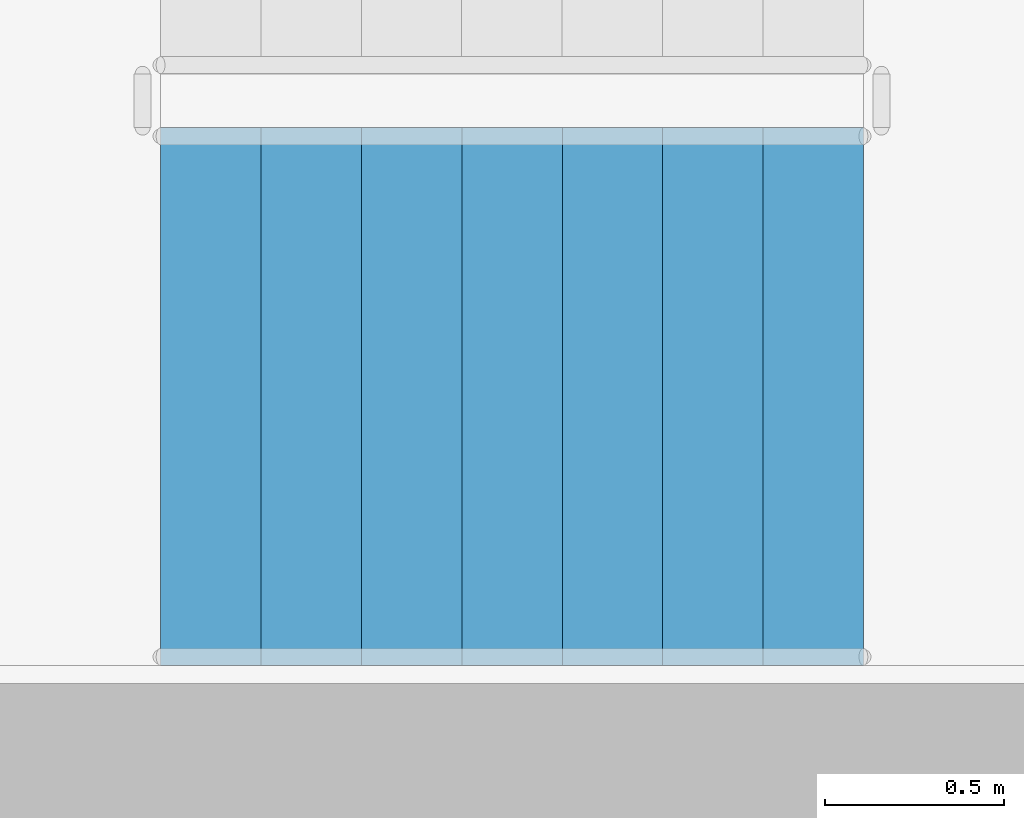
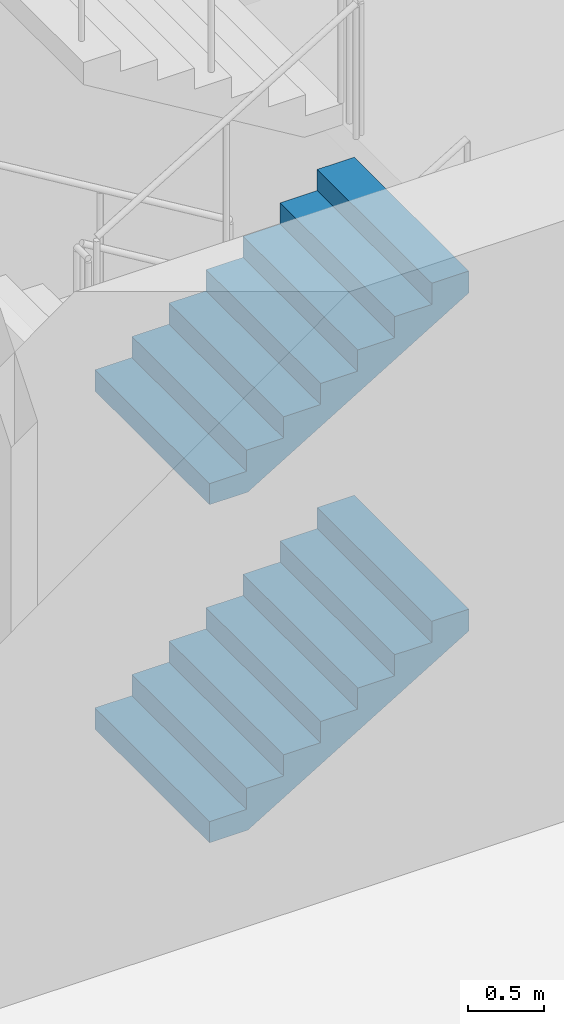
# One storey, part 61 of 101: 2 stair flights, 1 element without a shape of its own.
"""IFC4 building model written with IfcOpenShell, lengths in metres."""

from ifc_helpers import new_model, si_unit, direction, frame, origin, place, context, subcontext, project, spatial, triangles, material, type_object, element, aggregate, save


model = new_model("IFC4")

# Units and contexts
model_context = context("Model", 3, precision=1e-05, world=origin(), true_north=direction((0.0, 1.0)))
body_context = subcontext(model_context, "Body", "Model", "MODEL_VIEW")
ifc_project = project(units=[si_unit("LENGTHUNIT", "METRE"), si_unit("AREAUNIT", "SQUARE_METRE"), si_unit("VOLUMEUNIT", "CUBIC_METRE"), si_unit("PLANEANGLEUNIT", "RADIAN"), si_unit("MASSUNIT", "GRAM", prefix="KILO")], contexts=[model_context])

# Site, building, storey
site_placement = place(None, origin())
site = spatial("IfcSite", under=ifc_project, at=site_placement, CompositionType="ELEMENT")
building_placement = place(site_placement, origin())
building = spatial("IfcBuilding", under=site, at=building_placement, Name="Magnolia Steps Interchange", CompositionType="ELEMENT")
storey_placement = place(building_placement, frame((0.0, 0.0, -5.39990234375)))
storey = spatial("IfcBuildingStorey", under=building, at=storey_placement, Name="B1", CompositionType="ELEMENT", Elevation=-5.39990234375)

# Stair, stair flights
ifc_material_1 = material(Name="Concrete C40", Category="concrete")
stair_type = type_object("IfcStairType", Name="Exit stair 1500", PredefinedType="HALF_TURN_STAIR", material=ifc_material_1)
stair_placement = place(storey_placement, origin())
stair = element("IfcStair", 1, at=stair_placement, inside=storey, type_object=stair_type, Name="B1 Stair 4", PredefinedType="HALF_TURN_STAIR")
ifc_material_2 = material(Name="Concrete C40", Category="concrete")
stair_flight_type = type_object("IfcStairFlightType", Name="Exit stair flight", PredefinedType="STRAIGHT", material=ifc_material_2)
stair_flight_1_placement = place(storey_placement, frame((112.199951171875, 76.050048828125, 0.0), z_axis=(0.0, 0.0, 1.0), x_axis=(1.0, 0.0, 0.0)))
stair_flight_1 = element("IfcStairFlight", 2, at=stair_flight_1_placement, type_object=stair_flight_type, Name="Stair 4 flight 1", NumberOfRisers=8, NumberOfTreads=7, PredefinedType="STRAIGHT", RiserHeight=0.16875, TreadLength=0.28, context=body_context, shape_type="Tessellation", body=[
    triangles([(0.0, -0.75, 0.0), (0.29052734375, -0.75, 0.0), (1.9599609375, -0.75, 1.00634765625), (1.9599609375, -0.75, 1.18115234375), (1.679931640625, -0.75, 1.18115234375), (1.679931640625, -0.75, 1.012451171875), (1.39990234375, -0.75, 1.012451171875), (1.39990234375, -0.75, 0.84375), (1.1201171875, -0.75, 0.84375), (1.1201171875, -0.75, 0.675048828125), (0.840087890625, -0.75, 0.675048828125), (0.840087890625, -0.75, 0.50634765625), (0.56005859375, -0.75, 0.50634765625), (0.56005859375, -0.75, 0.33740234375), (0.280029296875, -0.75, 0.33740234375), (0.280029296875, -0.75, 0.168701171875), (0.0, -0.75, 0.168701171875), (0.0, 0.75, 0.0), (0.29052734375, 0.75, 0.0), (1.9599609375, 0.75, 1.00634765625), (1.9599609375, 0.75, 1.18115234375), (1.679931640625, 0.75, 1.18115234375), (1.679931640625, 0.75, 1.012451171875), (1.39990234375, 0.75, 1.012451171875), (1.39990234375, 0.75, 0.84375), (1.1201171875, 0.75, 0.84375), (1.1201171875, 0.75, 0.675048828125), (0.840087890625, 0.75, 0.675048828125), (0.840087890625, 0.75, 0.50634765625), (0.56005859375, 0.75, 0.50634765625), (0.56005859375, 0.75, 0.33740234375), (0.280029296875, 0.75, 0.33740234375), (0.280029296875, 0.75, 0.168701171875), (0.0, 0.75, 0.168701171875), (0.0, 0.0, 0.0), (0.0, 0.0, 0.04217529296875), (0.0, 0.0, 0.0843505859375), (0.0, 0.0, 0.12652587890625), (0.0, 0.0, 0.168701171875), (0.0, -0.05, 0.0), (0.0, -0.05, 0.168701171875), (0.0, 0.05, 0.0), (0.0, 0.05, 0.168701171875), (0.046671549479166664, 0.0, 0.168701171875), (0.09334309895833333, 0.0, 0.168701171875), (0.1400146484375, 0.0, 0.168701171875), (0.18668619791666666, 0.0, 0.168701171875), (0.23335774739583334, 0.0, 0.168701171875), (0.280029296875, 0.0, 0.168701171875), (0.280029296875, -0.05, 0.168701171875), (0.280029296875, 0.05, 0.168701171875), (0.280029296875, 0.0, 0.21087646484375), (0.280029296875, 0.0, 0.2530517578125), (0.280029296875, 0.0, 0.29522705078125), (0.280029296875, 0.0, 0.33740234375), (0.280029296875, -0.05, 0.33740234375), (0.280029296875, 0.05, 0.33740234375), (0.3267008463541667, 0.0, 0.33740234375), (0.3733723958333333, 0.0, 0.33740234375), (0.4200439453125, 0.0, 0.33740234375), (0.46671549479166663, 0.0, 0.33740234375), (0.5133870442708334, 0.0, 0.33740234375), (0.56005859375, 0.0, 0.33740234375), (0.56005859375, -0.05, 0.33740234375), (0.56005859375, 0.05, 0.33740234375), (0.56005859375, 0.0, 0.379638671875), (0.56005859375, 0.0, 0.421875), (0.56005859375, 0.0, 0.464111328125), (0.56005859375, 0.0, 0.50634765625), (0.56005859375, -0.05, 0.50634765625), (0.56005859375, 0.05, 0.50634765625), (0.6067301432291666, 0.0, 0.50634765625), (0.6534016927083334, 0.0, 0.50634765625), (0.7000732421875, 0.0, 0.50634765625), (0.7467447916666666, 0.0, 0.50634765625), (0.7934163411458334, 0.0, 0.50634765625), (0.840087890625, 0.0, 0.50634765625), (0.840087890625, -0.05, 0.50634765625), (0.840087890625, 0.05, 0.50634765625), (0.840087890625, 0.0, 0.54852294921875), (0.840087890625, 0.0, 0.5906982421875), (0.840087890625, 0.0, 0.63287353515625), (0.840087890625, 0.0, 0.675048828125), (0.840087890625, -0.05, 0.675048828125), (0.840087890625, 0.05, 0.675048828125), (0.8867594401041666, 0.0, 0.675048828125), (0.9334309895833334, 0.0, 0.675048828125), (0.9801025390625, 0.0, 0.675048828125), (1.0267740885416667, 0.0, 0.675048828125), (1.0734456380208333, 0.0, 0.675048828125), (1.1201171875, 0.0, 0.675048828125), (1.1201171875, -0.05, 0.675048828125), (1.1201171875, 0.05, 0.675048828125), (1.1201171875, 0.0, 0.71722412109375), (1.1201171875, 0.0, 0.7593994140625), (1.1201171875, 0.0, 0.80157470703125), (1.1201171875, 0.0, 0.84375), (1.1201171875, -0.05, 0.84375), (1.1201171875, 0.05, 0.84375), (1.1900634765625, 0.0, 0.84375), (1.260009765625, 0.0, 0.84375), (1.3299560546875, 0.0, 0.84375), (1.39990234375, 0.0, 0.84375), (1.39990234375, -0.05, 0.84375), (1.39990234375, 0.05, 0.84375), (1.39990234375, 0.0, 0.88592529296875), (1.39990234375, 0.0, 0.9281005859375), (1.39990234375, 0.0, 0.97027587890625), (1.39990234375, 0.0, 1.012451171875), (1.39990234375, -0.05, 1.012451171875), (1.39990234375, 0.05, 1.012451171875), (1.4465738932291667, 0.0, 1.012451171875), (1.4932454427083333, 0.0, 1.012451171875), (1.5399169921875, 0.0, 1.012451171875), (1.5865885416666667, 0.0, 1.012451171875), (1.6332600911458333, 0.0, 1.012451171875), (1.679931640625, 0.0, 1.012451171875), (1.679931640625, -0.05, 1.012451171875), (1.679931640625, 0.05, 1.012451171875), (1.679931640625, 0.0, 1.05462646484375), (1.679931640625, 0.0, 1.0968017578125), (1.679931640625, 0.0, 1.13897705078125), (1.679931640625, 0.0, 1.18115234375), (1.679931640625, -0.05, 1.18115234375), (1.679931640625, 0.05, 1.18115234375), (1.7266031901041667, 0.0, 1.18115234375), (1.7732747395833333, 0.0, 1.18115234375), (1.8199462890625, 0.0, 1.18115234375), (1.8666178385416667, 0.0, 1.18115234375), (1.9132893880208333, 0.0, 1.18115234375), (1.9599609375, 0.0, 1.18115234375), (1.9599609375, -0.05, 1.18115234375), (1.9599609375, 0.05, 1.18115234375), (1.9599609375, 0.0, 1.137451171875), (1.9599609375, 0.0, 1.09375), (1.9599609375, 0.0, 1.050048828125), (1.9599609375, 0.0, 1.00634765625), (1.9599609375, -0.05, 1.00634765625), (1.9599609375, 0.05, 1.00634765625), (1.9003383091517858, 0.0, 0.9704066685267857), (1.8407156808035714, 0.0, 0.9344656808035714), (1.7810930524553572, 0.0, 0.8985246930803571), (1.7214704241071428, 0.0, 0.8625837053571428), (1.6618477957589286, 0.0, 0.8266427176339286), (1.6022251674107144, 0.0, 0.7907017299107143), (1.5426025390625, 0.0, 0.7547607421875), (1.4829799107142856, 0.0, 0.7188197544642857), (1.4233572823660714, 0.0, 0.6828787667410714), (1.3637346540178572, 0.0, 0.6469377790178572), (1.3041120256696428, 0.0, 0.6109967912946428), (1.2444893973214286, 0.0, 0.5750558035714286), (1.1848667689732144, 0.0, 0.5391148158482143), (1.125244140625, 0.0, 0.503173828125), (1.0656215122767856, 0.0, 0.4672328404017857), (1.0059988839285714, 0.0, 0.4312918526785714), (0.9463762555803572, 0.0, 0.3953508649553571), (0.8867536272321428, 0.0, 0.3594098772321429), (0.8271309988839286, 0.0, 0.3234688895089286), (0.7675083705357142, 0.0, 0.2875279017857143), (0.7078857421875, 0.0, 0.2515869140625), (0.6482631138392858, 0.0, 0.2156459263392857), (0.5886404854910714, 0.0, 0.1797049386160714), (0.5290178571428572, 0.0, 0.1437639508928571), (0.4693952287946428, 0.0, 0.1078229631696429), (0.4097726004464286, 0.0, 0.0718819754464286), (0.3501499720982142, 0.0, 0.0359409877232143), (0.29052734375, 0.0, 0.0), (0.29052734375, -0.05, 0.0), (0.29052734375, 0.05, 0.0), (0.24210611979166666, 0.0, 0.0), (0.19368489583333331, 0.0, 0.0), (0.145263671875, 0.0, 0.0), (0.09684244791666666, 0.0, 0.0), (0.04842122395833334, 0.0, 0.0)], [[1, 2, 3], [3, 4, 5], [3, 5, 6], [3, 6, 7], [3, 7, 8], [8, 9, 10], [3, 8, 10], [10, 11, 12], [3, 10, 12], [12, 13, 14], [3, 12, 14], [14, 15, 16], [3, 14, 16], [1, 3, 16], [16, 17, 1], [18, 20, 19], [20, 22, 21], [20, 23, 22], [20, 24, 23], [20, 25, 24], [25, 27, 26], [20, 27, 25], [27, 29, 28], [20, 29, 27], [29, 31, 30], [20, 31, 29], [31, 33, 32], [20, 33, 31], [18, 33, 20], [33, 18, 34], [1, 17, 41], [1, 41, 40], [40, 36, 35], [40, 37, 36], [40, 41, 37], [41, 38, 37], [41, 39, 38], [18, 43, 34], [18, 42, 43], [42, 35, 36], [42, 36, 37], [42, 37, 43], [43, 37, 38], [43, 38, 39], [17, 16, 50], [17, 50, 41], [41, 44, 39], [41, 45, 44], [41, 46, 45], [41, 50, 46], [50, 47, 46], [50, 48, 47], [50, 49, 48], [34, 51, 33], [34, 43, 51], [43, 39, 44], [43, 44, 45], [43, 45, 46], [43, 46, 51], [51, 46, 47], [51, 47, 48], [51, 48, 49], [16, 15, 56], [16, 56, 50], [50, 52, 49], [50, 53, 52], [50, 56, 53], [56, 54, 53], [56, 55, 54], [33, 57, 32], [33, 51, 57], [51, 49, 52], [51, 52, 53], [51, 53, 57], [57, 53, 54], [57, 54, 55], [15, 14, 64], [15, 64, 56], [56, 58, 55], [56, 59, 58], [56, 60, 59], [56, 64, 60], [64, 61, 60], [64, 62, 61], [64, 63, 62], [32, 65, 31], [32, 57, 65], [57, 55, 58], [57, 58, 59], [57, 59, 60], [57, 60, 65], [65, 60, 61], [65, 61, 62], [65, 62, 63], [14, 13, 70], [14, 70, 64], [64, 66, 63], [64, 67, 66], [64, 70, 67], [70, 68, 67], [70, 69, 68], [31, 71, 30], [31, 65, 71], [65, 63, 66], [65, 66, 67], [65, 67, 71], [71, 67, 68], [71, 68, 69], [13, 12, 78], [13, 78, 70], [70, 72, 69], [70, 73, 72], [70, 74, 73], [70, 78, 74], [78, 75, 74], [78, 76, 75], [78, 77, 76], [30, 79, 29], [30, 71, 79], [71, 69, 72], [71, 72, 73], [71, 73, 74], [71, 74, 79], [79, 74, 75], [79, 75, 76], [79, 76, 77], [12, 11, 84], [12, 84, 78], [78, 80, 77], [78, 81, 80], [78, 84, 81], [84, 82, 81], [84, 83, 82], [29, 85, 28], [29, 79, 85], [79, 77, 80], [79, 80, 81], [79, 81, 85], [85, 81, 82], [85, 82, 83], [11, 10, 92], [11, 92, 84], [84, 86, 83], [84, 87, 86], [84, 88, 87], [84, 92, 88], [92, 89, 88], [92, 90, 89], [92, 91, 90], [28, 93, 27], [28, 85, 93], [85, 83, 86], [85, 86, 87], [85, 87, 88], [85, 88, 93], [93, 88, 89], [93, 89, 90], [93, 90, 91], [10, 9, 98], [10, 98, 92], [92, 94, 91], [92, 95, 94], [92, 98, 95], [98, 96, 95], [98, 97, 96], [27, 99, 26], [27, 93, 99], [93, 91, 94], [93, 94, 95], [93, 95, 99], [99, 95, 96], [99, 96, 97], [9, 8, 104], [9, 104, 98], [98, 100, 97], [98, 101, 100], [98, 104, 101], [104, 102, 101], [104, 103, 102], [26, 105, 25], [26, 99, 105], [99, 97, 100], [99, 100, 101], [99, 101, 105], [105, 101, 102], [105, 102, 103], [8, 7, 110], [8, 110, 104], [104, 106, 103], [104, 107, 106], [104, 110, 107], [110, 108, 107], [110, 109, 108], [25, 111, 24], [25, 105, 111], [105, 103, 106], [105, 106, 107], [105, 107, 111], [111, 107, 108], [111, 108, 109], [7, 6, 118], [7, 118, 110], [110, 112, 109], [110, 113, 112], [110, 114, 113], [110, 118, 114], [118, 115, 114], [118, 116, 115], [118, 117, 116], [24, 119, 23], [24, 111, 119], [111, 109, 112], [111, 112, 113], [111, 113, 114], [111, 114, 119], [119, 114, 115], [119, 115, 116], [119, 116, 117], [6, 5, 124], [6, 124, 118], [118, 120, 117], [118, 121, 120], [118, 124, 121], [124, 122, 121], [124, 123, 122], [23, 125, 22], [23, 119, 125], [119, 117, 120], [119, 120, 121], [119, 121, 125], [125, 121, 122], [125, 122, 123], [5, 4, 132], [5, 132, 124], [124, 126, 123], [124, 127, 126], [124, 128, 127], [124, 132, 128], [132, 129, 128], [132, 130, 129], [132, 131, 130], [22, 133, 21], [22, 125, 133], [125, 123, 126], [125, 126, 127], [125, 127, 128], [125, 128, 133], [133, 128, 129], [133, 129, 130], [133, 130, 131], [4, 3, 138], [4, 138, 132], [132, 134, 131], [132, 135, 134], [132, 138, 135], [138, 136, 135], [138, 137, 136], [21, 139, 20], [21, 133, 139], [133, 131, 134], [133, 134, 135], [133, 135, 139], [139, 135, 136], [139, 136, 137], [3, 2, 168], [3, 168, 138], [138, 140, 137], [138, 141, 140], [138, 142, 141], [138, 143, 142], [138, 144, 143], [138, 145, 144], [138, 146, 145], [138, 147, 146], [138, 148, 147], [138, 149, 148], [138, 150, 149], [138, 151, 150], [138, 152, 151], [138, 153, 152], [138, 168, 153], [168, 154, 153], [168, 155, 154], [168, 156, 155], [168, 157, 156], [168, 158, 157], [168, 159, 158], [168, 160, 159], [168, 161, 160], [168, 162, 161], [168, 163, 162], [168, 164, 163], [168, 165, 164], [168, 166, 165], [168, 167, 166], [20, 169, 19], [20, 139, 169], [139, 137, 140], [139, 140, 141], [139, 141, 142], [139, 142, 143], [139, 143, 144], [139, 144, 145], [139, 145, 146], [139, 146, 147], [139, 147, 148], [139, 148, 149], [139, 149, 150], [139, 150, 151], [139, 151, 152], [139, 152, 153], [139, 153, 169], [169, 153, 154], [169, 154, 155], [169, 155, 156], [169, 156, 157], [169, 157, 158], [169, 158, 159], [169, 159, 160], [169, 160, 161], [169, 161, 162], [169, 162, 163], [169, 163, 164], [169, 164, 165], [169, 165, 166], [169, 166, 167], [2, 1, 40], [2, 40, 168], [168, 170, 167], [168, 171, 170], [168, 172, 171], [168, 40, 172], [40, 173, 172], [40, 174, 173], [40, 35, 174], [19, 42, 18], [19, 169, 42], [169, 167, 170], [169, 170, 171], [169, 171, 172], [169, 172, 42], [42, 172, 173], [42, 173, 174], [42, 174, 35]], closed=True),
])
stair_flight_2_placement = place(storey_placement, frame((112.199951171875, 76.050048828125, 2.699951171875), z_axis=(0.0, 0.0, 1.0), x_axis=(1.0, 0.0, 0.0)))
stair_flight_2 = element("IfcStairFlight", 3, at=stair_flight_2_placement, type_object=stair_flight_type, Name="Stair 4 flight 3", NumberOfRisers=8, NumberOfTreads=7, PredefinedType="STRAIGHT", RiserHeight=0.16875, TreadLength=0.28, context=body_context, shape_type="Tessellation", body=[
    triangles([(0.0, -0.75, 0.0), (0.29052734375, -0.75, 0.0), (1.9599609375, -0.75, 1.00634765625), (1.9599609375, -0.75, 1.18115234375), (1.679931640625, -0.75, 1.18115234375), (1.679931640625, -0.75, 1.012451171875), (1.39990234375, -0.75, 1.012451171875), (1.39990234375, -0.75, 0.84375), (1.1201171875, -0.75, 0.84375), (1.1201171875, -0.75, 0.675048828125), (0.840087890625, -0.75, 0.675048828125), (0.840087890625, -0.75, 0.50634765625), (0.56005859375, -0.75, 0.50634765625), (0.56005859375, -0.75, 0.33740234375), (0.280029296875, -0.75, 0.33740234375), (0.280029296875, -0.75, 0.168701171875), (0.0, -0.75, 0.168701171875), (0.0, 0.75, 0.0), (0.29052734375, 0.75, 0.0), (1.9599609375, 0.75, 1.00634765625), (1.9599609375, 0.75, 1.18115234375), (1.679931640625, 0.75, 1.18115234375), (1.679931640625, 0.75, 1.012451171875), (1.39990234375, 0.75, 1.012451171875), (1.39990234375, 0.75, 0.84375), (1.1201171875, 0.75, 0.84375), (1.1201171875, 0.75, 0.675048828125), (0.840087890625, 0.75, 0.675048828125), (0.840087890625, 0.75, 0.50634765625), (0.56005859375, 0.75, 0.50634765625), (0.56005859375, 0.75, 0.33740234375), (0.280029296875, 0.75, 0.33740234375), (0.280029296875, 0.75, 0.168701171875), (0.0, 0.75, 0.168701171875), (0.0, 0.0, 0.0), (0.0, 0.0, 0.04217529296875), (0.0, 0.0, 0.0843505859375), (0.0, 0.0, 0.12652587890625), (0.0, 0.0, 0.168701171875), (0.0, -0.05, 0.0), (0.0, -0.05, 0.168701171875), (0.0, 0.05, 0.0), (0.0, 0.05, 0.168701171875), (0.046671549479166664, 0.0, 0.168701171875), (0.09334309895833333, 0.0, 0.168701171875), (0.1400146484375, 0.0, 0.168701171875), (0.18668619791666666, 0.0, 0.168701171875), (0.23335774739583334, 0.0, 0.168701171875), (0.280029296875, 0.0, 0.168701171875), (0.280029296875, -0.05, 0.168701171875), (0.280029296875, 0.05, 0.168701171875), (0.280029296875, 0.0, 0.21087646484375), (0.280029296875, 0.0, 0.2530517578125), (0.280029296875, 0.0, 0.29522705078125), (0.280029296875, 0.0, 0.33740234375), (0.280029296875, -0.05, 0.33740234375), (0.280029296875, 0.05, 0.33740234375), (0.3267008463541667, 0.0, 0.33740234375), (0.3733723958333333, 0.0, 0.33740234375), (0.4200439453125, 0.0, 0.33740234375), (0.46671549479166663, 0.0, 0.33740234375), (0.5133870442708334, 0.0, 0.33740234375), (0.56005859375, 0.0, 0.33740234375), (0.56005859375, -0.05, 0.33740234375), (0.56005859375, 0.05, 0.33740234375), (0.56005859375, 0.0, 0.379638671875), (0.56005859375, 0.0, 0.421875), (0.56005859375, 0.0, 0.464111328125), (0.56005859375, 0.0, 0.50634765625), (0.56005859375, -0.05, 0.50634765625), (0.56005859375, 0.05, 0.50634765625), (0.6067301432291666, 0.0, 0.50634765625), (0.6534016927083334, 0.0, 0.50634765625), (0.7000732421875, 0.0, 0.50634765625), (0.7467447916666666, 0.0, 0.50634765625), (0.7934163411458334, 0.0, 0.50634765625), (0.840087890625, 0.0, 0.50634765625), (0.840087890625, -0.05, 0.50634765625), (0.840087890625, 0.05, 0.50634765625), (0.840087890625, 0.0, 0.54852294921875), (0.840087890625, 0.0, 0.5906982421875), (0.840087890625, 0.0, 0.63287353515625), (0.840087890625, 0.0, 0.675048828125), (0.840087890625, -0.05, 0.675048828125), (0.840087890625, 0.05, 0.675048828125), (0.8867594401041666, 0.0, 0.675048828125), (0.9334309895833334, 0.0, 0.675048828125), (0.9801025390625, 0.0, 0.675048828125), (1.0267740885416667, 0.0, 0.675048828125), (1.0734456380208333, 0.0, 0.675048828125), (1.1201171875, 0.0, 0.675048828125), (1.1201171875, -0.05, 0.675048828125), (1.1201171875, 0.05, 0.675048828125), (1.1201171875, 0.0, 0.71722412109375), (1.1201171875, 0.0, 0.7593994140625), (1.1201171875, 0.0, 0.80157470703125), (1.1201171875, 0.0, 0.84375), (1.1201171875, -0.05, 0.84375), (1.1201171875, 0.05, 0.84375), (1.1900634765625, 0.0, 0.84375), (1.260009765625, 0.0, 0.84375), (1.3299560546875, 0.0, 0.84375), (1.39990234375, 0.0, 0.84375), (1.39990234375, -0.05, 0.84375), (1.39990234375, 0.05, 0.84375), (1.39990234375, 0.0, 0.88592529296875), (1.39990234375, 0.0, 0.9281005859375), (1.39990234375, 0.0, 0.97027587890625), (1.39990234375, 0.0, 1.012451171875), (1.39990234375, -0.05, 1.012451171875), (1.39990234375, 0.05, 1.012451171875), (1.4465738932291667, 0.0, 1.012451171875), (1.4932454427083333, 0.0, 1.012451171875), (1.5399169921875, 0.0, 1.012451171875), (1.5865885416666667, 0.0, 1.012451171875), (1.6332600911458333, 0.0, 1.012451171875), (1.679931640625, 0.0, 1.012451171875), (1.679931640625, -0.05, 1.012451171875), (1.679931640625, 0.05, 1.012451171875), (1.679931640625, 0.0, 1.05462646484375), (1.679931640625, 0.0, 1.0968017578125), (1.679931640625, 0.0, 1.13897705078125), (1.679931640625, 0.0, 1.18115234375), (1.679931640625, -0.05, 1.18115234375), (1.679931640625, 0.05, 1.18115234375), (1.7266031901041667, 0.0, 1.18115234375), (1.7732747395833333, 0.0, 1.18115234375), (1.8199462890625, 0.0, 1.18115234375), (1.8666178385416667, 0.0, 1.18115234375), (1.9132893880208333, 0.0, 1.18115234375), (1.9599609375, 0.0, 1.18115234375), (1.9599609375, -0.05, 1.18115234375), (1.9599609375, 0.05, 1.18115234375), (1.9599609375, 0.0, 1.137451171875), (1.9599609375, 0.0, 1.09375), (1.9599609375, 0.0, 1.050048828125), (1.9599609375, 0.0, 1.00634765625), (1.9599609375, -0.05, 1.00634765625), (1.9599609375, 0.05, 1.00634765625), (1.9003383091517858, 0.0, 0.9704066685267857), (1.8407156808035714, 0.0, 0.9344656808035714), (1.7810930524553572, 0.0, 0.8985246930803571), (1.7214704241071428, 0.0, 0.8625837053571428), (1.6618477957589286, 0.0, 0.8266427176339286), (1.6022251674107144, 0.0, 0.7907017299107143), (1.5426025390625, 0.0, 0.7547607421875), (1.4829799107142856, 0.0, 0.7188197544642857), (1.4233572823660714, 0.0, 0.6828787667410714), (1.3637346540178572, 0.0, 0.6469377790178572), (1.3041120256696428, 0.0, 0.6109967912946428), (1.2444893973214286, 0.0, 0.5750558035714286), (1.1848667689732144, 0.0, 0.5391148158482143), (1.125244140625, 0.0, 0.503173828125), (1.0656215122767856, 0.0, 0.4672328404017857), (1.0059988839285714, 0.0, 0.4312918526785714), (0.9463762555803572, 0.0, 0.3953508649553571), (0.8867536272321428, 0.0, 0.3594098772321429), (0.8271309988839286, 0.0, 0.3234688895089286), (0.7675083705357142, 0.0, 0.2875279017857143), (0.7078857421875, 0.0, 0.2515869140625), (0.6482631138392858, 0.0, 0.2156459263392857), (0.5886404854910714, 0.0, 0.1797049386160714), (0.5290178571428572, 0.0, 0.1437639508928571), (0.4693952287946428, 0.0, 0.1078229631696429), (0.4097726004464286, 0.0, 0.0718819754464286), (0.3501499720982142, 0.0, 0.0359409877232143), (0.29052734375, 0.0, 0.0), (0.29052734375, -0.05, 0.0), (0.29052734375, 0.05, 0.0), (0.24210611979166666, 0.0, 0.0), (0.19368489583333331, 0.0, 0.0), (0.145263671875, 0.0, 0.0), (0.09684244791666666, 0.0, 0.0), (0.04842122395833334, 0.0, 0.0)], [[1, 2, 3], [3, 4, 5], [3, 5, 6], [3, 6, 7], [3, 7, 8], [8, 9, 10], [3, 8, 10], [10, 11, 12], [3, 10, 12], [12, 13, 14], [3, 12, 14], [14, 15, 16], [3, 14, 16], [1, 3, 16], [16, 17, 1], [18, 20, 19], [20, 22, 21], [20, 23, 22], [20, 24, 23], [20, 25, 24], [25, 27, 26], [20, 27, 25], [27, 29, 28], [20, 29, 27], [29, 31, 30], [20, 31, 29], [31, 33, 32], [20, 33, 31], [18, 33, 20], [33, 18, 34], [1, 17, 41], [1, 41, 40], [40, 36, 35], [40, 37, 36], [40, 41, 37], [41, 38, 37], [41, 39, 38], [18, 43, 34], [18, 42, 43], [42, 35, 36], [42, 36, 37], [42, 37, 43], [43, 37, 38], [43, 38, 39], [17, 16, 50], [17, 50, 41], [41, 44, 39], [41, 45, 44], [41, 46, 45], [41, 50, 46], [50, 47, 46], [50, 48, 47], [50, 49, 48], [34, 51, 33], [34, 43, 51], [43, 39, 44], [43, 44, 45], [43, 45, 46], [43, 46, 51], [51, 46, 47], [51, 47, 48], [51, 48, 49], [16, 15, 56], [16, 56, 50], [50, 52, 49], [50, 53, 52], [50, 56, 53], [56, 54, 53], [56, 55, 54], [33, 57, 32], [33, 51, 57], [51, 49, 52], [51, 52, 53], [51, 53, 57], [57, 53, 54], [57, 54, 55], [15, 14, 64], [15, 64, 56], [56, 58, 55], [56, 59, 58], [56, 60, 59], [56, 64, 60], [64, 61, 60], [64, 62, 61], [64, 63, 62], [32, 65, 31], [32, 57, 65], [57, 55, 58], [57, 58, 59], [57, 59, 60], [57, 60, 65], [65, 60, 61], [65, 61, 62], [65, 62, 63], [14, 13, 70], [14, 70, 64], [64, 66, 63], [64, 67, 66], [64, 70, 67], [70, 68, 67], [70, 69, 68], [31, 71, 30], [31, 65, 71], [65, 63, 66], [65, 66, 67], [65, 67, 71], [71, 67, 68], [71, 68, 69], [13, 12, 78], [13, 78, 70], [70, 72, 69], [70, 73, 72], [70, 74, 73], [70, 78, 74], [78, 75, 74], [78, 76, 75], [78, 77, 76], [30, 79, 29], [30, 71, 79], [71, 69, 72], [71, 72, 73], [71, 73, 74], [71, 74, 79], [79, 74, 75], [79, 75, 76], [79, 76, 77], [12, 11, 84], [12, 84, 78], [78, 80, 77], [78, 81, 80], [78, 84, 81], [84, 82, 81], [84, 83, 82], [29, 85, 28], [29, 79, 85], [79, 77, 80], [79, 80, 81], [79, 81, 85], [85, 81, 82], [85, 82, 83], [11, 10, 92], [11, 92, 84], [84, 86, 83], [84, 87, 86], [84, 88, 87], [84, 92, 88], [92, 89, 88], [92, 90, 89], [92, 91, 90], [28, 93, 27], [28, 85, 93], [85, 83, 86], [85, 86, 87], [85, 87, 88], [85, 88, 93], [93, 88, 89], [93, 89, 90], [93, 90, 91], [10, 9, 98], [10, 98, 92], [92, 94, 91], [92, 95, 94], [92, 98, 95], [98, 96, 95], [98, 97, 96], [27, 99, 26], [27, 93, 99], [93, 91, 94], [93, 94, 95], [93, 95, 99], [99, 95, 96], [99, 96, 97], [9, 8, 104], [9, 104, 98], [98, 100, 97], [98, 101, 100], [98, 104, 101], [104, 102, 101], [104, 103, 102], [26, 105, 25], [26, 99, 105], [99, 97, 100], [99, 100, 101], [99, 101, 105], [105, 101, 102], [105, 102, 103], [8, 7, 110], [8, 110, 104], [104, 106, 103], [104, 107, 106], [104, 110, 107], [110, 108, 107], [110, 109, 108], [25, 111, 24], [25, 105, 111], [105, 103, 106], [105, 106, 107], [105, 107, 111], [111, 107, 108], [111, 108, 109], [7, 6, 118], [7, 118, 110], [110, 112, 109], [110, 113, 112], [110, 114, 113], [110, 118, 114], [118, 115, 114], [118, 116, 115], [118, 117, 116], [24, 119, 23], [24, 111, 119], [111, 109, 112], [111, 112, 113], [111, 113, 114], [111, 114, 119], [119, 114, 115], [119, 115, 116], [119, 116, 117], [6, 5, 124], [6, 124, 118], [118, 120, 117], [118, 121, 120], [118, 124, 121], [124, 122, 121], [124, 123, 122], [23, 125, 22], [23, 119, 125], [119, 117, 120], [119, 120, 121], [119, 121, 125], [125, 121, 122], [125, 122, 123], [5, 4, 132], [5, 132, 124], [124, 126, 123], [124, 127, 126], [124, 128, 127], [124, 132, 128], [132, 129, 128], [132, 130, 129], [132, 131, 130], [22, 133, 21], [22, 125, 133], [125, 123, 126], [125, 126, 127], [125, 127, 128], [125, 128, 133], [133, 128, 129], [133, 129, 130], [133, 130, 131], [4, 3, 138], [4, 138, 132], [132, 134, 131], [132, 135, 134], [132, 138, 135], [138, 136, 135], [138, 137, 136], [21, 139, 20], [21, 133, 139], [133, 131, 134], [133, 134, 135], [133, 135, 139], [139, 135, 136], [139, 136, 137], [3, 2, 168], [3, 168, 138], [138, 140, 137], [138, 141, 140], [138, 142, 141], [138, 143, 142], [138, 144, 143], [138, 145, 144], [138, 146, 145], [138, 147, 146], [138, 148, 147], [138, 149, 148], [138, 150, 149], [138, 151, 150], [138, 152, 151], [138, 153, 152], [138, 168, 153], [168, 154, 153], [168, 155, 154], [168, 156, 155], [168, 157, 156], [168, 158, 157], [168, 159, 158], [168, 160, 159], [168, 161, 160], [168, 162, 161], [168, 163, 162], [168, 164, 163], [168, 165, 164], [168, 166, 165], [168, 167, 166], [20, 169, 19], [20, 139, 169], [139, 137, 140], [139, 140, 141], [139, 141, 142], [139, 142, 143], [139, 143, 144], [139, 144, 145], [139, 145, 146], [139, 146, 147], [139, 147, 148], [139, 148, 149], [139, 149, 150], [139, 150, 151], [139, 151, 152], [139, 152, 153], [139, 153, 169], [169, 153, 154], [169, 154, 155], [169, 155, 156], [169, 156, 157], [169, 157, 158], [169, 158, 159], [169, 159, 160], [169, 160, 161], [169, 161, 162], [169, 162, 163], [169, 163, 164], [169, 164, 165], [169, 165, 166], [169, 166, 167], [2, 1, 40], [2, 40, 168], [168, 170, 167], [168, 171, 170], [168, 172, 171], [168, 40, 172], [40, 173, 172], [40, 174, 173], [40, 35, 174], [19, 42, 18], [19, 169, 42], [169, 167, 170], [169, 170, 171], [169, 171, 172], [169, 172, 42], [42, 172, 173], [42, 173, 174], [42, 174, 35]], closed=True),
])
aggregate(stair, [stair_flight_1, stair_flight_2])

save(model, "model.ifc")
